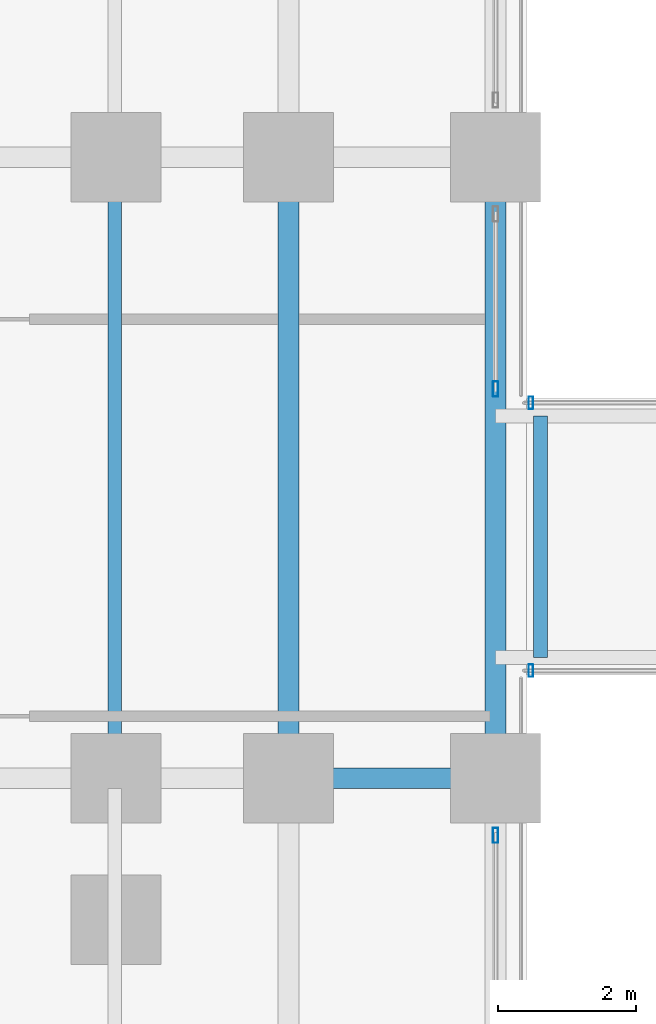
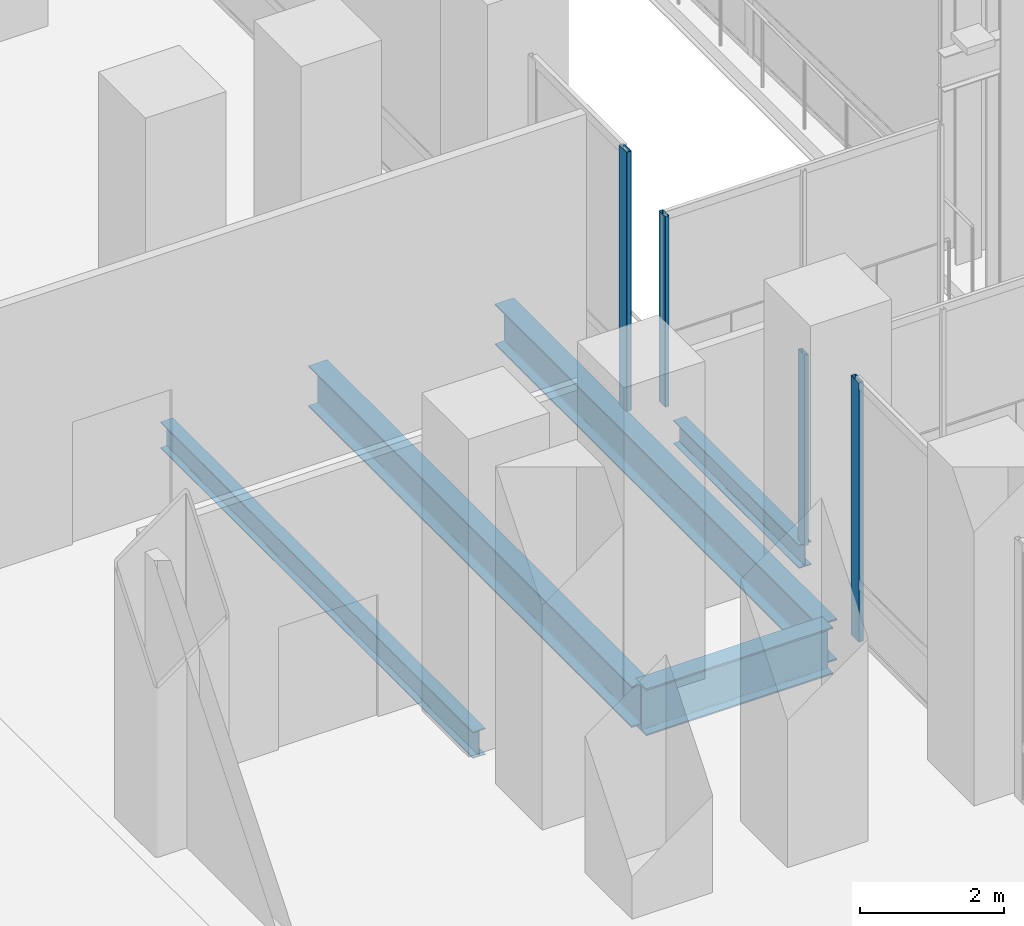
# One storey, part 12 of 32: 5 beams, 4 members, 4 elements without a shape of their own.
"""IFC4 building model written with IfcOpenShell, lengths in metres."""

from ifc_helpers import new_model, si_unit, direction, frame, origin, origin_2d, place, context, subcontext, project, spatial, hollow_rectangle, i_section, extrude, material, material_profile, profile_set, type_object, element, aggregate, save


model = new_model("IFC4")

# Units and contexts
model_context = context("Model", 3, precision=1e-05, world=origin(), true_north=direction((0.0, 1.0)))
body_context = subcontext(model_context, "Body", "Model", "MODEL_VIEW")
ifc_project = project(units=[si_unit("LENGTHUNIT", "METRE"), si_unit("AREAUNIT", "SQUARE_METRE"), si_unit("VOLUMEUNIT", "CUBIC_METRE"), si_unit("PLANEANGLEUNIT", "RADIAN"), si_unit("MASSUNIT", "GRAM", prefix="KILO")], contexts=[model_context])

# Site, building, storey
site_placement = place(None, origin())
site = spatial("IfcSite", under=ifc_project, at=site_placement, CompositionType="ELEMENT")
building_placement = place(site_placement, origin())
building = spatial("IfcBuilding", under=site, at=building_placement, Name="Noeulbin Bourse Tower", CompositionType="ELEMENT")
storey_placement = place(building_placement, frame((0.0, 0.0, 5.800048828125)))
storey = spatial("IfcBuildingStorey", under=building, at=storey_placement, Name="L02", CompositionType="ELEMENT", Elevation=5.800048828125)

# Beams
ifc_material_1 = material(Name="Steel S355", Category="steel")
ifc_material_profile_1 = material_profile(ifc_material_1, i_section(OverallWidth=0.300048828125, OverallDepth=0.699951171875, WebThickness=0.012939453125, FlangeThickness=0.02392578125, FilletRadius=0.02392578125, at=origin_2d()), Name="H-700x300x13x24", Category="LoadBearing")
ifc_profile_set_1 = profile_set([ifc_material_profile_1], Name="Steel S355")
beam_type_1 = type_object("IfcBeamType", Name="BM-GRD-700", PredefinedType="USERDEFINED", material=ifc_profile_set_1)
for number, where, z_axis, x_axis, name in (
    (1, (51.550048828125, 20.0, -0.60009765625), (0.0, 1.0, 0.0), (-1.0, 0.0, 0.0), "Podium Primary Girder NS L02-098"),
    (2, (54.550048828125, 20.0, -0.60009765625), (0.0, 1.0, 0.0), (-1.0, 0.0, 0.0), "Podium Primary Girder NS L02-104"),
):
    element("IfcBeam", number, at=place(storey_placement, frame(where, z_axis=z_axis, x_axis=x_axis)), inside=storey, type_object=beam_type_1, Name=name, ObjectType="GIRDER", PredefinedType="USERDEFINED", context=body_context, shape_type="SweptSolid", body=[
        extrude(i_section(OverallWidth=0.300048828125, OverallDepth=0.699951171875, WebThickness=0.012939453125, FlangeThickness=0.02392578125, FilletRadius=0.02392578125, at=origin_2d()), origin(), (0.0, 0.0, 1.0), 9.0),
    ])
ifc_material_profile_2 = material_profile(ifc_material_1, i_section(OverallWidth=0.300048828125, OverallDepth=0.800048828125, WebThickness=0.013916015625, FlangeThickness=0.02587890625, FilletRadius=0.02587890625, at=origin_2d()), Name="H-800x300x14x26", Category="LoadBearing")
ifc_profile_set_2 = profile_set([ifc_material_profile_2], Name="Steel S355")
beam_type_2 = type_object("IfcBeamType", Name="BM-GRD-800", PredefinedType="USERDEFINED", material=ifc_profile_set_2)
beam_1_placement = place(storey_placement, frame((51.550048828125, 20.0, -0.650146484375), z_axis=(1.0, 0.0, 0.0), x_axis=(0.0, 1.0, 0.0)))
element("IfcBeam", 3, at=beam_1_placement, inside=storey, type_object=beam_type_2, Name="Podium Primary Girder EW L02-024", ObjectType="GIRDER", PredefinedType="USERDEFINED", context=body_context, shape_type="SweptSolid", body=[
    extrude(i_section(OverallWidth=0.300048828125, OverallDepth=0.800048828125, WebThickness=0.013916015625, FlangeThickness=0.02587890625, FilletRadius=0.02587890625, at=origin_2d()), origin(), (0.0, 0.0, 1.0), 3.0),
])
ifc_material_profile_3 = material_profile(ifc_material_1, i_section(OverallWidth=0.199951171875, OverallDepth=0.39990234375, WebThickness=0.008056640625, FlangeThickness=0.012939453125, FilletRadius=0.01611328125, at=origin_2d()), Name="H-400x200x8x13", Category="LoadBearing")
ifc_profile_set_3 = profile_set([ifc_material_profile_3], Name="Steel S355")
beam_type_3 = type_object("IfcBeamType", Name="BM-SEC-400", PredefinedType="BEAM", material=ifc_profile_set_3)
beam_2_placement = place(storey_placement, frame((55.199951171875, 21.75, -0.400146484375), z_axis=(0.0, 1.0, 0.0), x_axis=(-1.0, 0.0, 0.0)))
element("IfcBeam", 4, at=beam_2_placement, inside=storey, type_object=beam_type_3, Name="BM-L02-BRGX-1", PredefinedType="BEAM", context=body_context, shape_type="SweptSolid", body=[
    extrude(i_section(OverallWidth=0.199951171875, OverallDepth=0.39990234375, WebThickness=0.008056640625, FlangeThickness=0.012939453125, FilletRadius=0.01611328125, at=origin_2d()), origin(), (0.0, 0.0, 1.0), 3.5),
])
ifc_material_profile_4 = material_profile(ifc_material_1, i_section(OverallWidth=0.199951171875, OverallDepth=0.449951171875, WebThickness=0.009033203125, FlangeThickness=0.013916015625, FilletRadius=0.01806640625, at=origin_2d()), Name="H-450x200x9x14", Category="LoadBearing")
ifc_profile_set_4 = profile_set([ifc_material_profile_4], Name="Steel S355")
beam_type_4 = type_object("IfcBeamType", Name="BM-SEC-450", PredefinedType="BEAM", material=ifc_profile_set_4)
beam_3_placement = place(storey_placement, frame((49.033203125, 20.14990234375, -0.47509765625), z_axis=(0.0, 1.0, 0.0), x_axis=(-1.0, 0.0, 0.0)))
element("IfcBeam", 5, at=beam_3_placement, inside=storey, type_object=beam_type_4, Name="Podium Secondary Beam L02-077", PredefinedType="BEAM", context=body_context, shape_type="SweptSolid", body=[
    extrude(i_section(OverallWidth=0.199951171875, OverallDepth=0.449951171875, WebThickness=0.009033203125, FlangeThickness=0.013916015625, FilletRadius=0.01806640625, at=origin_2d()), origin(), (0.0, 0.0, 1.0), 8.7001953125),
])

# Curtain wall, member
ifc_material_2 = material(Name="Laminated Clear Low-E Glass", Category="glass")
curtain_wall_type_1 = type_object("IfcCurtainWallType", Name="CW-SYS-1", PredefinedType="NOTDEFINED", material=ifc_material_2)
curtain_wall_1_placement = place(storey_placement, origin())
curtain_wall_1 = element("IfcCurtainWall", 6, at=curtain_wall_1_placement, inside=storey, type_object=curtain_wall_type_1, Name="Unitised Curtain Wall CW-L02-POD-E1-S2", PredefinedType="NOTDEFINED")
ifc_material_3 = material(Name="Anodised Aluminium 6063-T6", Category="aluminium")
ifc_material_profile_5 = material_profile(ifc_material_3, hollow_rectangle(XDim=0.074951171875, YDim=0.219970703125, WallThickness=0.0048828125, InnerFilletRadius=0.00244140625, OuterFilletRadius=0.0048828125, at=origin_2d()), Name="ALU-MULL-75x220x5", Category="LoadBearing")
ifc_profile_set_5 = profile_set([ifc_material_profile_5], Name="Anodised Aluminium 6063-T6")
member_type_1 = type_object("IfcMemberType", Name="CW-SYS-1-MUL", PredefinedType="MULLION", material=ifc_profile_set_5)
member_1_placement = place(storey_placement, frame((54.550048828125, 19.175048828125, -0.02001953125), z_axis=(0.0, 0.0, 1.0), x_axis=(1.0, 0.0, 0.0)))
member_1 = element("IfcMember", 7, at=member_1_placement, type_object=member_type_1, Name="Curtain Wall Mullion CW-L02-POD-E1-S2-M01", PredefinedType="MULLION", context=body_context, shape_type="SweptSolid", body=[
    extrude(hollow_rectangle(XDim=0.074951171875, YDim=0.219970703125, WallThickness=0.0048828125, InnerFilletRadius=0.00244140625, OuterFilletRadius=0.0048828125, at=origin_2d()), origin(), (0.0, 0.0, 1.0), 4.409912109375),
])
aggregate(curtain_wall_1, [member_1])

curtain_wall_2_placement = place(storey_placement, origin())
curtain_wall_2 = element("IfcCurtainWall", 8, at=curtain_wall_2_placement, inside=storey, type_object=curtain_wall_type_1, Name="Unitised Curtain Wall CW-L02-POD-E2-S1", PredefinedType="NOTDEFINED")
member_2_placement = place(storey_placement, frame((54.550048828125, 25.639892578125, -0.02001953125), z_axis=(0.0, 0.0, 1.0), x_axis=(1.0, 0.0, 0.0)))
member_2 = element("IfcMember", 9, at=member_2_placement, type_object=member_type_1, Name="Curtain Wall Mullion CW-L02-POD-E2-S1-M00", PredefinedType="MULLION", context=body_context, shape_type="SweptSolid", body=[
    extrude(hollow_rectangle(XDim=0.074951171875, YDim=0.219970703125, WallThickness=0.0048828125, InnerFilletRadius=0.00244140625, OuterFilletRadius=0.0048828125, at=origin_2d()), origin(), (0.0, 0.0, 1.0), 4.409912109375),
])
aggregate(curtain_wall_2, [member_2])

ifc_material_4 = material(Name="Acoustic Laminated Skylight Glazing", Category="glass")
curtain_wall_type_2 = type_object("IfcCurtainWallType", Name="CW-SYS-6", PredefinedType="NOTDEFINED", material=ifc_material_4)
curtain_wall_3_placement = place(storey_placement, origin())
curtain_wall_3 = element("IfcCurtainWall", 10, at=curtain_wall_3_placement, inside=storey, type_object=curtain_wall_type_2, Name="Unitised Curtain Wall CW-L02-BRG-S", PredefinedType="NOTDEFINED")
ifc_material_profile_6 = material_profile(ifc_material_3, hollow_rectangle(XDim=0.06494140625, YDim=0.179931640625, WallThickness=0.00390625, InnerFilletRadius=0.001953125, OuterFilletRadius=0.00390625, at=origin_2d()), Name="ALU-MULL-65x180x4", Category="LoadBearing")
ifc_profile_set_6 = profile_set([ifc_material_profile_6], Name="Anodised Aluminium 6063-T6")
member_type_2 = type_object("IfcMemberType", Name="CW-SYS-6-MUL", PredefinedType="MULLION", material=ifc_profile_set_6)
member_3_placement = place(storey_placement, frame((55.06005859375, 21.56005859375, -0.02001953125), z_axis=(0.0, 0.0, 1.0), x_axis=(1.0, 0.0, 0.0)))
member_3 = element("IfcMember", 11, at=member_3_placement, type_object=member_type_2, Name="Curtain Wall Mullion CW-L02-BRG-S-M00", PredefinedType="MULLION", context=body_context, shape_type="SweptSolid", body=[
    extrude(hollow_rectangle(XDim=0.06494140625, YDim=0.179931640625, WallThickness=0.00390625, InnerFilletRadius=0.001953125, OuterFilletRadius=0.00390625, at=origin_2d()), origin(), (0.0, 0.0, 1.0), 3.239990234375),
])
aggregate(curtain_wall_3, [member_3])

curtain_wall_4_placement = place(storey_placement, origin())
curtain_wall_4 = element("IfcCurtainWall", 12, at=curtain_wall_4_placement, inside=storey, type_object=curtain_wall_type_2, Name="Unitised Curtain Wall CW-L02-BRG-N", PredefinedType="NOTDEFINED")
member_4_placement = place(storey_placement, frame((55.06005859375, 25.43994140625, -0.02001953125), z_axis=(0.0, 0.0, 1.0), x_axis=(1.0, 0.0, 0.0)))
member_4 = element("IfcMember", 13, at=member_4_placement, type_object=member_type_2, Name="Curtain Wall Mullion CW-L02-BRG-N-M00", PredefinedType="MULLION", context=body_context, shape_type="SweptSolid", body=[
    extrude(hollow_rectangle(XDim=0.06494140625, YDim=0.179931640625, WallThickness=0.00390625, InnerFilletRadius=0.001953125, OuterFilletRadius=0.00390625, at=origin_2d()), origin(), (0.0, 0.0, 1.0), 3.239990234375),
])
aggregate(curtain_wall_4, [member_4])

save(model, "model.ifc")
